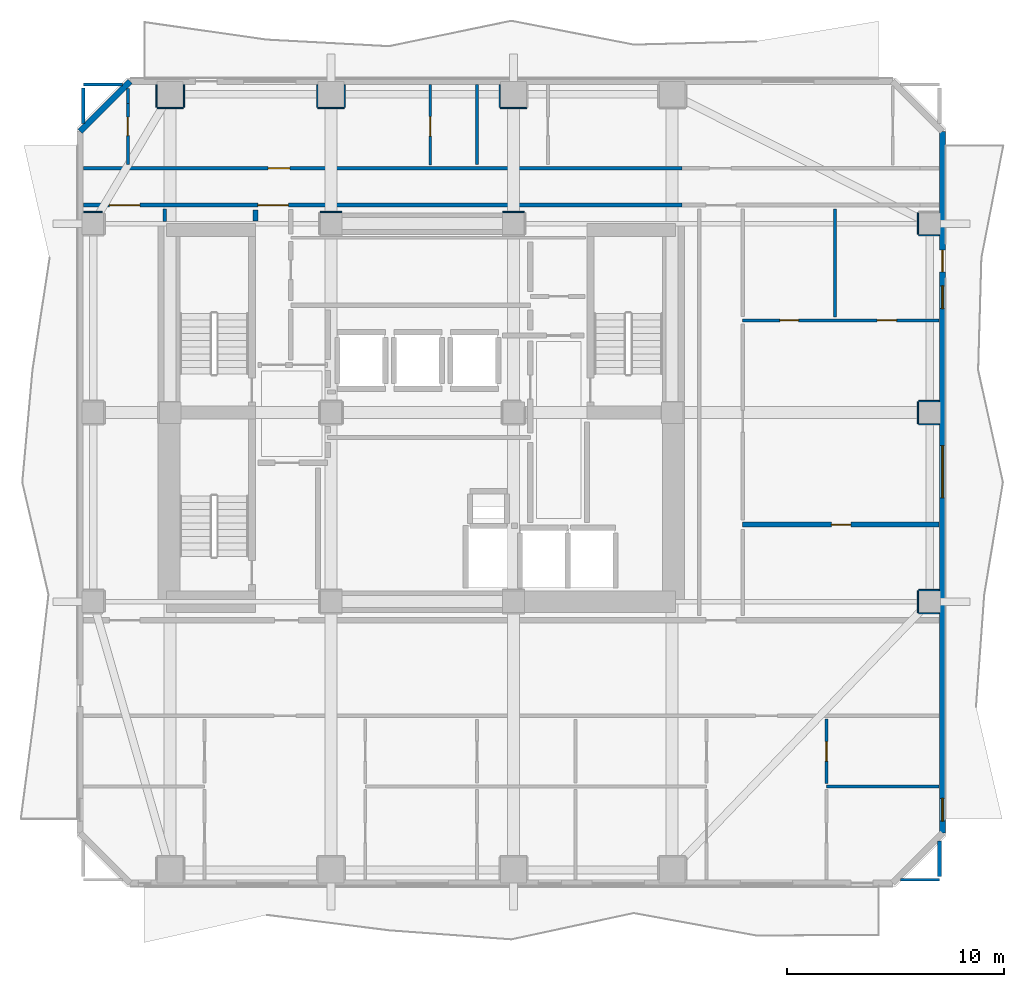
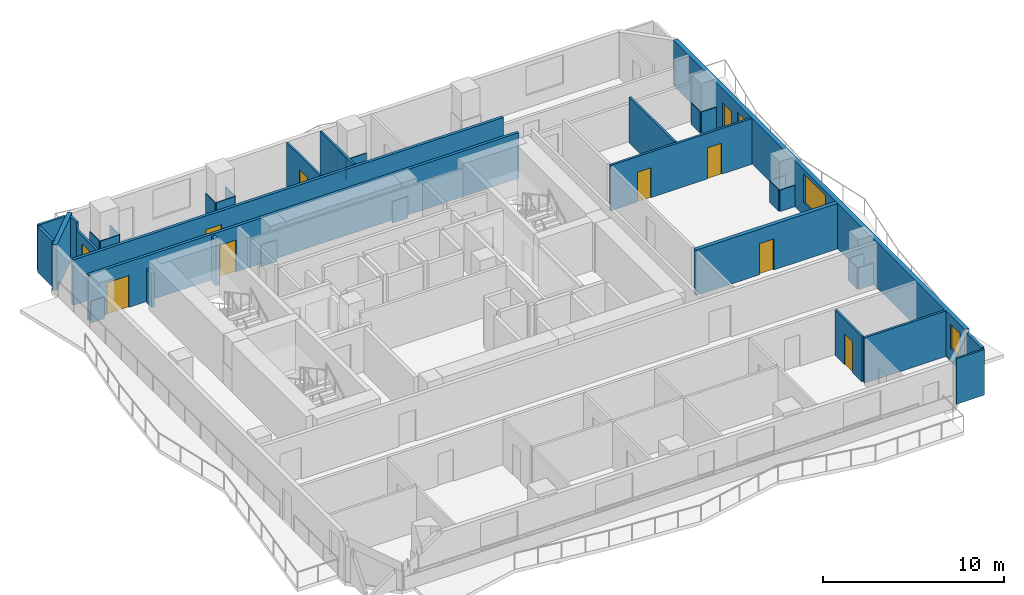
# One storey, part 5 of 9: 38 walls, 10 doors, 3 windows, 13 openings.
"""IFC4 building model written with IfcOpenShell, lengths in metres."""

from ifc_helpers import new_model, si_unit, direction, frame, frame_2d, origin, place, context, subcontext, project, spatial, rectangle, extrude, material, layer, layer_set, type_object, element, fill, save


model = new_model("IFC4")

# Units and contexts
model_context = context("Model", 3, precision=1e-05, world=origin(), true_north=direction((0.0, 1.0)))
body_context = subcontext(model_context, "Body", "Model", "MODEL_VIEW")
ifc_project = project(units=[si_unit("LENGTHUNIT", "METRE"), si_unit("AREAUNIT", "SQUARE_METRE"), si_unit("VOLUMEUNIT", "CUBIC_METRE"), si_unit("PLANEANGLEUNIT", "RADIAN"), si_unit("MASSUNIT", "GRAM", prefix="KILO")], contexts=[model_context])

# Site, building, storey
site_placement = place(None, origin())
site = spatial("IfcSite", under=ifc_project, at=site_placement, CompositionType="ELEMENT")
building_placement = place(site_placement, origin())
building = spatial("IfcBuilding", under=site, at=building_placement, Name="Solanera Arch Residences", CompositionType="ELEMENT")
storey_placement = place(building_placement, frame((0.0, 0.0, 135.9599609375)))
storey = spatial("IfcBuildingStorey", under=building, at=storey_placement, Name="L39", CompositionType="ELEMENT", Elevation=135.9599609375)

# Walls
ifc_material_1 = material(Name="Fire-Rated Gypsum Stud Partition", Category="gypsum")
ifc_layer_1 = layer(ifc_material_1, 0.06005859375)
ifc_layer_set_1 = layer_set([ifc_layer_1], Name="Fire-Rated Gypsum Stud Partition")
wall_type_1 = type_object("IfcWallType", Name="Column Acoustic Furring Wall 60", PredefinedType="PARTITIONING", material=ifc_layer_set_1)
for number, where, z_axis, x_axis, name in (
    (1, (20.300048828125, 39.931884765625, 0.0), (0.0, 0.0, 1.0), (1.0, 0.0, 0.0), "L39 Column Furring 3N"),
    (2, (28.699951171875, 39.931884765625, 0.0), (0.0, 0.0, 1.0), (1.0, 0.0, 0.0), "L39 Column Furring 4N"),
):
    element("IfcWall", number, at=place(storey_placement, frame(where, z_axis=z_axis, x_axis=x_axis)), inside=storey, type_object=wall_type_1, Name=name, PredefinedType="PARTITIONING", context=body_context, shape_type="SweptSolid", body=[
        extrude(rectangle(XDim=1.0, YDim=0.06005859375, at=frame_2d((0.5, 0.0))), origin(), (0.0, 0.0, 1.0), 1.449951171875),
    ])
wall_1_placement = place(storey_placement, frame((12.800048828125, 44.718017578125, 0.0), z_axis=(0.0, 0.0, 1.0), x_axis=(1.0, 0.0, 0.0)))
element("IfcWall", 3, at=wall_1_placement, inside=storey, type_object=wall_type_1, Name="L39 Column Furring 10S", PredefinedType="PARTITIONING", context=body_context, shape_type="SweptSolid", body=[
    extrude(rectangle(XDim=1.199951171875, YDim=0.06005859375, at=frame_2d((0.60009765625, 0.0))), origin(), (0.0, 0.0, 1.0), 1.449951171875),
])
for number, where, z_axis, x_axis, name in (
    (4, (12.76806640625, 44.75, 0.0), (0.0, 0.0, 1.0), (0.0, 1.0, 0.0), "L39 Column Furring 10W"),
    (5, (14.031982421875, 44.75, 0.0), (0.0, 0.0, 1.0), (0.0, 1.0, 0.0), "L39 Column Furring 10E"),
):
    element("IfcWall", number, at=place(storey_placement, frame(where, z_axis=z_axis, x_axis=x_axis)), inside=storey, type_object=wall_type_1, Name=name, PredefinedType="PARTITIONING", context=body_context, shape_type="SweptSolid", body=[
        extrude(rectangle(XDim=1.0400390625, YDim=0.06005859375, at=frame_2d((0.52001953125, 0.0))), origin(), (0.0, 0.0, 1.0), 1.449951171875),
    ])
wall_2_placement = place(storey_placement, frame((20.199951171875, 44.718017578125, 0.0), z_axis=(0.0, 0.0, 1.0), x_axis=(1.0, 0.0, 0.0)))
element("IfcWall", 6, at=wall_2_placement, inside=storey, type_object=wall_type_1, Name="L39 Column Furring 12S", PredefinedType="PARTITIONING", context=body_context, shape_type="SweptSolid", body=[
    extrude(rectangle(XDim=1.199951171875, YDim=0.06005859375, at=frame_2d((0.60009765625, 0.0))), origin(), (0.0, 0.0, 1.0), 1.449951171875),
])
for number, where, z_axis, x_axis, name in (
    (7, (20.16796875, 44.75, 0.0), (0.0, 0.0, 1.0), (0.0, 1.0, 0.0), "L39 Column Furring 12W"),
    (8, (21.431884765625, 44.75, 0.0), (0.0, 0.0, 1.0), (0.0, 1.0, 0.0), "L39 Column Furring 12E"),
):
    element("IfcWall", number, at=place(storey_placement, frame(where, z_axis=z_axis, x_axis=x_axis)), inside=storey, type_object=wall_type_1, Name=name, PredefinedType="PARTITIONING", context=body_context, shape_type="SweptSolid", body=[
        extrude(rectangle(XDim=1.0400390625, YDim=0.06005859375, at=frame_2d((0.52001953125, 0.0))), origin(), (0.0, 0.0, 1.0), 1.449951171875),
    ])
wall_3_placement = place(storey_placement, frame((28.60009765625, 44.718017578125, 0.0), z_axis=(0.0, 0.0, 1.0), x_axis=(1.0, 0.0, 0.0)))
element("IfcWall", 9, at=wall_3_placement, inside=storey, type_object=wall_type_1, Name="L39 Column Furring 14S", PredefinedType="PARTITIONING", context=body_context, shape_type="SweptSolid", body=[
    extrude(rectangle(XDim=1.199951171875, YDim=0.06005859375, at=frame_2d((0.60009765625, 0.0))), origin(), (0.0, 0.0, 1.0), 1.449951171875),
])
wall_4_placement = place(storey_placement, frame((28.568115234375, 44.75, 0.0), z_axis=(0.0, 0.0, 1.0), x_axis=(0.0, 1.0, 0.0)))
element("IfcWall", 10, at=wall_4_placement, inside=storey, type_object=wall_type_1, Name="L39 Column Furring 14W", PredefinedType="PARTITIONING", context=body_context, shape_type="SweptSolid", body=[
    extrude(rectangle(XDim=1.0400390625, YDim=0.06005859375, at=frame_2d((0.52001953125, 0.0))), origin(), (0.0, 0.0, 1.0), 1.449951171875),
])
for number, where, z_axis, x_axis, name in (
    (11, (47.85009765625, 21.468017578125, 0.0), (0.0, 0.0, 1.0), (1.0, 0.0, 0.0), "L39 Column Furring 18S"),
    (12, (47.85009765625, 22.531982421875, 0.0), (0.0, 0.0, 1.0), (1.0, 0.0, 0.0), "L39 Column Furring 18N"),
):
    element("IfcWall", number, at=place(storey_placement, frame(where, z_axis=z_axis, x_axis=x_axis)), inside=storey, type_object=wall_type_1, Name=name, PredefinedType="PARTITIONING", context=body_context, shape_type="SweptSolid", body=[
        extrude(rectangle(XDim=0.93994140625, YDim=0.06005859375, at=frame_2d((0.469970703125, 0.0))), origin(), (0.0, 0.0, 1.0), 1.449951171875),
    ])
wall_5_placement = place(storey_placement, frame((47.818115234375, 21.5, 0.0), z_axis=(0.0, 0.0, 1.0), x_axis=(0.0, 1.0, 0.0)))
element("IfcWall", 13, at=wall_5_placement, inside=storey, type_object=wall_type_1, Name="L39 Column Furring 18W", PredefinedType="PARTITIONING", context=body_context, shape_type="SweptSolid", body=[
    extrude(rectangle(XDim=1.0, YDim=0.06005859375, at=frame_2d((0.5, 0.0))), origin(), (0.0, 0.0, 1.0), 1.449951171875),
])
for number, where, z_axis, x_axis, name in (
    (14, (47.85009765625, 30.16796875, 0.0), (0.0, 0.0, 1.0), (1.0, 0.0, 0.0), "L39 Column Furring 20S"),
    (15, (47.85009765625, 31.23193359375, 0.0), (0.0, 0.0, 1.0), (1.0, 0.0, 0.0), "L39 Column Furring 20N"),
):
    element("IfcWall", number, at=place(storey_placement, frame(where, z_axis=z_axis, x_axis=x_axis)), inside=storey, type_object=wall_type_1, Name=name, PredefinedType="PARTITIONING", context=body_context, shape_type="SweptSolid", body=[
        extrude(rectangle(XDim=0.93994140625, YDim=0.06005859375, at=frame_2d((0.469970703125, 0.0))), origin(), (0.0, 0.0, 1.0), 1.449951171875),
    ])
wall_6_placement = place(storey_placement, frame((47.818115234375, 30.199951171875, 0.0), z_axis=(0.0, 0.0, 1.0), x_axis=(0.0, 1.0, 0.0)))
element("IfcWall", 16, at=wall_6_placement, inside=storey, type_object=wall_type_1, Name="L39 Column Furring 20W", PredefinedType="PARTITIONING", context=body_context, shape_type="SweptSolid", body=[
    extrude(rectangle(XDim=1.0, YDim=0.06005859375, at=frame_2d((0.5, 0.0))), origin(), (0.0, 0.0, 1.0), 1.449951171875),
])
wall_7_placement = place(storey_placement, frame((9.409912109375, 39.931884765625, 0.0), z_axis=(0.0, 0.0, 1.0), x_axis=(1.0, 0.0, 0.0)))
element("IfcWall", 17, at=wall_7_placement, inside=storey, type_object=wall_type_1, Name="L39 Column Furring 21N", PredefinedType="PARTITIONING", context=body_context, shape_type="SweptSolid", body=[
    extrude(rectangle(XDim=0.87109375, YDim=0.06005859375, at=frame_2d((0.435546875, 0.0))), origin(), (0.0, 0.0, 1.0), 1.449951171875),
])
wall_8_placement = place(storey_placement, frame((47.85009765625, 38.867919921875, 0.0), z_axis=(0.0, 0.0, 1.0), x_axis=(1.0, 0.0, 0.0)))
element("IfcWall", 18, at=wall_8_placement, inside=storey, type_object=wall_type_1, Name="L39 Column Furring 22S", PredefinedType="PARTITIONING", context=body_context, shape_type="SweptSolid", body=[
    extrude(rectangle(XDim=0.93994140625, YDim=0.06005859375, at=frame_2d((0.469970703125, 0.0))), origin(), (0.0, 0.0, 1.0), 1.449951171875),
])
wall_9_placement = place(storey_placement, frame((47.818115234375, 38.89990234375, 0.0), z_axis=(0.0, 0.0, 1.0), x_axis=(0.0, 1.0, 0.0)))
element("IfcWall", 19, at=wall_9_placement, inside=storey, type_object=wall_type_1, Name="L39 Column Furring 22W", PredefinedType="PARTITIONING", context=body_context, shape_type="SweptSolid", body=[
    extrude(rectangle(XDim=1.0, YDim=0.06005859375, at=frame_2d((0.5, 0.0))), origin(), (0.0, 0.0, 1.0), 1.449951171875),
])

# Wall, openings, doors
ifc_material_2 = material(Name="Autoclaved Aerated Concrete Blockwork", Category="masonry")
ifc_layer_2 = layer(ifc_material_2, 0.179931640625)
ifc_layer_set_2 = layer_set([ifc_layer_2], Name="Autoclaved Aerated Concrete Blockwork")
wall_type_2 = type_object("IfcWallType", Name="Corridor Fire Partition 180", PredefinedType="PARTITIONING", material=ifc_layer_set_2)
wall_10_placement = place(storey_placement, frame((9.406982421875, 40.25, 0.0), z_axis=(0.0, 0.0, 1.0), x_axis=(1.0, 0.0, 0.0)))
wall_10 = element("IfcWall", 20, at=wall_10_placement, inside=storey, type_object=wall_type_2, Name="L39 Interior Partition H12 1", PredefinedType="PARTITIONING", context=body_context, shape_type="SweptSolid", body=[
    extrude(rectangle(XDim=27.5361328125, YDim=0.179931640625, at=frame_2d((13.76806640625, 0.0))), origin(), (0.0, 0.0, 1.0), 3.080078125),
])
opening_1_placement = place(wall_10_placement, frame((8.028076171875, 0.0, 0.0)))
opening_1 = element("IfcOpeningElement", 21, at=opening_1_placement, cuts=wall_10, Name="Opening DF-03", PredefinedType="OPENING", context=body_context, shape_type="SweptSolid", body=[
    extrude(rectangle(XDim=1.39990234375, YDim=2.14990234375, at=frame_2d((0.699951171875, 1.074951171875))), frame((0.0, 0.10009765625, 0.0), z_axis=(0.0, -1.0, 0.0), x_axis=(1.0, 0.0, 0.0)), (0.0, 0.0, 1.0), 0.1999),
])
opening_2_placement = place(wall_10_placement, frame((1.19189453125, 0.0, 0.0)))
opening_2 = element("IfcOpeningElement", 22, at=opening_2_placement, cuts=wall_10, Name="Opening DF-03", PredefinedType="OPENING", context=body_context, shape_type="SweptSolid", body=[
    extrude(rectangle(XDim=1.39990234375, YDim=2.14990234375, at=frame_2d((0.699951171875, 1.074951171875))), frame((0.0, 0.10009765625, 0.0), z_axis=(0.0, -1.0, 0.0), x_axis=(1.0, 0.0, 0.0)), (0.0, 0.0, 1.0), 0.1999),
])
ifc_material_3 = material(Name="Fire-Rated Architectural Hardwood", Category="wood")
door_type_1 = type_object("IfcDoorType", Name="Corridor Smoke Door DF-03", OperationType="NOTDEFINED", PredefinedType="DOOR", material=ifc_material_3)
door_1_placement = place(opening_1_placement, origin())
door_1 = element("IfcDoor", 23, at=door_1_placement, inside=storey, type_object=door_type_1, Name="DR-L39-IN-009", OperationType="SINGLE_SWING_RIGHT", OverallHeight=2.14990234375, OverallWidth=1.39990234375, PredefinedType="DOOR", context=body_context, shape_type="SweptSolid", body=[
    extrude(rectangle(XDim=1.39990234375, YDim=2.14990234375, at=frame_2d((0.699951171875, 1.074951171875))), frame((0.0, 0.02490234375, 0.0), z_axis=(0.0, -1.0, 0.0), x_axis=(1.0, 0.0, 0.0)), (0.0, 0.0, 1.0), 0.050048828125),
])
fill(opening_1, door_1)
door_2_placement = place(opening_2_placement, origin())
door_2 = element("IfcDoor", 24, at=door_2_placement, inside=storey, type_object=door_type_1, Name="DR-L39-IN-012", OperationType="SINGLE_SWING_LEFT", OverallHeight=2.14990234375, OverallWidth=1.39990234375, PredefinedType="DOOR", context=body_context, shape_type="SweptSolid", body=[
    extrude(rectangle(XDim=1.39990234375, YDim=2.14990234375, at=frame_2d((0.699951171875, 1.074951171875))), frame((0.0, 0.02490234375, 0.0), z_axis=(0.0, -1.0, 0.0), x_axis=(1.0, 0.0, 0.0)), (0.0, 0.0, 1.0), 0.050048828125),
])
fill(opening_2, door_2)

# Wall, opening, door
wall_11_placement = place(storey_placement, frame((9.406982421875, 41.949951171875, 0.0), z_axis=(0.0, 0.0, 1.0), x_axis=(1.0, 0.0, 0.0)))
wall_11 = element("IfcWall", 25, at=wall_11_placement, inside=storey, type_object=wall_type_2, Name="L39 Interior Partition H13 1", PredefinedType="PARTITIONING", context=body_context, shape_type="SweptSolid", body=[
    extrude(rectangle(XDim=27.5361328125, YDim=0.179931640625, at=frame_2d((13.76806640625, 0.0))), origin(), (0.0, 0.0, 1.0), 3.080078125),
])
opening_3_placement = place(wall_11_placement, frame((8.5029296875, 0.0, 0.0)))
opening_3 = element("IfcOpeningElement", 26, at=opening_3_placement, cuts=wall_11, Name="Opening DI-01", PredefinedType="OPENING", context=body_context, shape_type="SweptSolid", body=[
    extrude(rectangle(XDim=1.0, YDim=2.14990234375, at=frame_2d((0.5, 1.074951171875))), frame((0.0, 0.10009765625, 0.0), z_axis=(0.0, -1.0, 0.0), x_axis=(1.0, 0.0, 0.0)), (0.0, 0.0, 1.0), 0.1999),
])
ifc_material_4 = material(Name="Fire-Rated Architectural Hardwood", Category="wood")
door_type_2 = type_object("IfcDoorType", Name="Unit Entrance Fire Door DI-01", OperationType="NOTDEFINED", PredefinedType="DOOR", material=ifc_material_4)
door_3_placement = place(opening_3_placement, origin())
door_3 = element("IfcDoor", 27, at=door_3_placement, inside=storey, type_object=door_type_2, Name="DR-L39-IN-029", OperationType="SINGLE_SWING_RIGHT", OverallHeight=2.14990234375, OverallWidth=1.0, PredefinedType="DOOR", context=body_context, shape_type="SweptSolid", body=[
    extrude(rectangle(XDim=1.0, YDim=2.14990234375, at=frame_2d((0.5, 1.074951171875))), frame((0.0, 0.02490234375, 0.0), z_axis=(0.0, -1.0, 0.0), x_axis=(1.0, 0.0, 0.0)), (0.0, 0.0, 1.0), 0.050048828125),
])
fill(opening_3, door_3)

# Walls
wall_12_placement = place(storey_placement, frame((9.39990234375, 44.0048828125, 0.0), z_axis=(0.0, 0.0, 1.0), x_axis=(0.0, 1.0, 0.0)))
element("IfcWall", 28, at=wall_12_placement, inside=storey, type_object=wall_type_2, Name="L39 Interior Partition V7 2", PredefinedType="PARTITIONING", context=body_context, shape_type="SweptSolid", body=[
    extrude(rectangle(XDim=1.627197265625, YDim=0.179931640625, at=frame_2d((0.8134765625, 0.0))), origin(), (0.0, 0.0, 1.0), 3.080078125),
])
wall_13_placement = place(storey_placement, frame((13.14990234375, 39.5, 0.0), z_axis=(0.0, 0.0, 1.0), x_axis=(0.0, 1.0, 0.0)))
element("IfcWall", 29, at=wall_13_placement, inside=storey, type_object=wall_type_2, Name="L39 Interior Partition V8", PredefinedType="PARTITIONING", context=body_context, shape_type="SweptSolid", body=[
    extrude(rectangle(XDim=0.56201171875, YDim=0.179931640625, at=frame_2d((0.281005859375, 0.0))), origin(), (0.0, 0.0, 1.0), 2.31494140625),
])
wall_14_placement = place(storey_placement, frame((48.800048828125, 9.35791015625, 0.0), z_axis=(0.0, 0.0, 1.0), x_axis=(0.0, 1.0, 0.0)))
element("IfcWall", 30, at=wall_14_placement, inside=storey, type_object=wall_type_2, Name="L39 Interior Partition V12 1", PredefinedType="PARTITIONING", context=body_context, shape_type="SweptSolid", body=[
    extrude(rectangle(XDim=1.63720703125, YDim=0.179931640625, at=frame_2d((0.818603515625, 0.0))), origin(), (0.0, 0.0, 1.0), 3.080078125),
])
ifc_material_5 = material(Name="Precast Concrete C35/45", Category="concrete")
ifc_layer_3 = layer(ifc_material_5, 0.280029296875)
ifc_layer_set_3 = layer_set([ifc_layer_3], Name="Precast Concrete C35/45")
wall_type_3 = type_object("IfcWallType", Name="Exterior Wall Precast Masonry-Frame 280", PredefinedType="STANDARD", material=ifc_layer_set_3)
wall_15_placement = place(storey_placement, frame((9.2548828125, 43.64501953125, 0.0), z_axis=(0.0, 0.0, 1.0), x_axis=(0.707106781187, 0.707106781187, 0.0)))
element("IfcWall", 31, at=wall_15_placement, inside=storey, type_object=wall_type_3, Name="L39 Tower Exterior Precast Masonry-Frame Wall CH1", PredefinedType="STANDARD", context=body_context, shape_type="SweptSolid", body=[
    extrude(rectangle(XDim=3.252685546875, YDim=0.280029296875, at=frame_2d((1.62646484375, 0.0))), origin(), (0.0, 0.0, 1.0), 3.080078125),
])

# Wall, openings, door, windows
wall_16_placement = place(storey_placement, frame((48.945068359375, 43.64501953125, 0.0), z_axis=(0.0, 0.0, 1.0), x_axis=(0.0, -1.0, 0.0)))
wall_16 = element("IfcWall", 32, at=wall_16_placement, inside=storey, type_object=wall_type_3, Name="L39 Tower Exterior Precast Masonry-Frame Wall E", PredefinedType="STANDARD", context=body_context, shape_type="SweptSolid", body=[
    extrude(rectangle(XDim=32.2900390625, YDim=0.280029296875, at=frame_2d((16.14501953125, 0.0))), origin(), (0.0, 0.0, 1.0), 3.080078125),
])
opening_4_placement = place(wall_16_placement, frame((5.467041015625, 0.0, 0.0)))
opening_4 = element("IfcOpeningElement", 33, at=opening_4_placement, cuts=wall_16, Name="Opening DB-01", PredefinedType="OPENING", context=body_context, shape_type="SweptSolid", body=[
    extrude(rectangle(XDim=1.0, YDim=2.14990234375, at=frame_2d((0.5, 1.074951171875))), frame((0.0, 0.14990234375, 0.0), z_axis=(0.0, -1.0, 0.0), x_axis=(1.0, 0.0, 0.0)), (0.0, 0.0, 1.0), 0.3),
])
opening_5_placement = place(wall_16_placement, frame((30.696044921875, 0.0, 0.85009765625)))
opening_5 = element("IfcOpeningElement", 34, at=opening_5_placement, cuts=wall_16, Name="Opening W-07", PredefinedType="OPENING", context=body_context, shape_type="SweptSolid", body=[
    extrude(rectangle(XDim=1.050048828125, YDim=1.64990234375, at=frame_2d((0.52490234375, 0.824951171875))), frame((0.0, 0.14990234375, 0.0), z_axis=(0.0, -1.0, 0.0), x_axis=(1.0, 0.0, 0.0)), (0.0, 0.0, 1.0), 0.3),
])
opening_6_placement = place(wall_16_placement, frame((14.4609375, 0.0, 0.85009765625)))
opening_6 = element("IfcOpeningElement", 35, at=opening_6_placement, cuts=wall_16, Name="Opening W-05", PredefinedType="OPENING", context=body_context, shape_type="SweptSolid", body=[
    extrude(rectangle(XDim=2.39990234375, YDim=1.949951171875, at=frame_2d((1.199951171875, 0.97509765625))), frame((0.0, 0.14990234375, 0.0), z_axis=(0.0, -1.0, 0.0), x_axis=(1.0, 0.0, 0.0)), (0.0, 0.0, 1.0), 0.3),
])
opening_7_placement = place(wall_16_placement, frame((7.10595703125, 0.0, 0.85009765625)))
opening_7 = element("IfcOpeningElement", 36, at=opening_7_placement, cuts=wall_16, Name="Opening W-07", PredefinedType="OPENING", context=body_context, shape_type="SweptSolid", body=[
    extrude(rectangle(XDim=1.050048828125, YDim=1.64990234375, at=frame_2d((0.52490234375, 0.824951171875))), frame((0.0, 0.14990234375, 0.0), z_axis=(0.0, -1.0, 0.0), x_axis=(1.0, 0.0, 0.0)), (0.0, 0.0, 1.0), 0.3),
])
ifc_material_6 = material(Name="Anodised Aluminium Alloy 6063-T6", Category="aluminium")
door_type_3 = type_object("IfcDoorType", Name="Glazed Balcony Swing Door DB-01", OperationType="NOTDEFINED", PredefinedType="DOOR", material=ifc_material_6)
door_4_placement = place(opening_4_placement, origin())
door_4 = element("IfcDoor", 37, at=door_4_placement, inside=storey, type_object=door_type_3, Name="DR-L39-OUT-03", OperationType="SINGLE_SWING_LEFT", OverallHeight=2.14990234375, OverallWidth=1.0, PredefinedType="DOOR", context=body_context, shape_type="SweptSolid", body=[
    extrude(rectangle(XDim=1.0, YDim=2.14990234375, at=frame_2d((0.5, 1.074951171875))), frame((0.0, 0.02490234375, 0.0), z_axis=(0.0, -1.0, 0.0), x_axis=(1.0, 0.0, 0.0)), (0.0, 0.0, 1.0), 0.050048828125),
])
fill(opening_4, door_4)
ifc_material_7 = material(Name="Double Glazed Low-E Laminated Glass", Category="glass")
window_type_1 = type_object("IfcWindowType", Name="Punched Window W-05", PartitioningType="TRIPLE_PANEL_VERTICAL", PredefinedType="WINDOW", material=ifc_material_7)
window_1_placement = place(opening_6_placement, origin())
window_1 = element("IfcWindow", 38, at=window_1_placement, inside=storey, type_object=window_type_1, Name="L39 3905-LIV Punched Window", OverallHeight=1.949951171875, OverallWidth=2.39990234375, PartitioningType="SINGLE_PANEL", PredefinedType="WINDOW", context=body_context, shape_type="SweptSolid", body=[
    extrude(rectangle(XDim=2.39990234375, YDim=1.949951171875, at=frame_2d((1.199951171875, 0.97509765625))), frame((0.0, 0.030029296875, 0.0), z_axis=(0.0, -1.0, 0.0), x_axis=(1.0, 0.0, 0.0)), (0.0, 0.0, 1.0), 0.06005859375),
])
fill(opening_6, window_1)
ifc_material_8 = material(Name="Double Glazed Low-E Laminated Glass", Category="glass")
window_type_2 = type_object("IfcWindowType", Name="Punched Window W-07", PartitioningType="SINGLE_PANEL", PredefinedType="WINDOW", material=ifc_material_8)
window_2_placement = place(opening_5_placement, origin())
window_2 = element("IfcWindow", 39, at=window_2_placement, inside=storey, type_object=window_type_2, Name="L39 3902-BR2 Punched Window", OverallHeight=1.64990234375, OverallWidth=1.050048828125, PartitioningType="SINGLE_PANEL", PredefinedType="WINDOW", context=body_context, shape_type="SweptSolid", body=[
    extrude(rectangle(XDim=1.050048828125, YDim=1.64990234375, at=frame_2d((0.52490234375, 0.824951171875))), frame((0.0, 0.030029296875, 0.0), z_axis=(0.0, -1.0, 0.0), x_axis=(1.0, 0.0, 0.0)), (0.0, 0.0, 1.0), 0.06005859375),
])
fill(opening_5, window_2)
window_3_placement = place(opening_7_placement, origin())
window_3 = element("IfcWindow", 40, at=window_3_placement, inside=storey, type_object=window_type_2, Name="L39 3905-BR1 Punched Window", OverallHeight=1.64990234375, OverallWidth=1.050048828125, PartitioningType="SINGLE_PANEL", PredefinedType="WINDOW", context=body_context, shape_type="SweptSolid", body=[
    extrude(rectangle(XDim=1.050048828125, YDim=1.64990234375, at=frame_2d((0.52490234375, 0.824951171875))), frame((0.0, 0.030029296875, 0.0), z_axis=(0.0, -1.0, 0.0), x_axis=(1.0, 0.0, 0.0)), (0.0, 0.0, 1.0), 0.06005859375),
])
fill(opening_7, window_3)

# Wall, opening, door
ifc_material_9 = material(Name="Autoclaved Aerated Concrete Blockwork", Category="masonry")
ifc_layer_4 = layer(ifc_material_9, 0.239990234375)
ifc_layer_set_4 = layer_set([ifc_layer_4], Name="Autoclaved Aerated Concrete Blockwork")
wall_type_4 = type_object("IfcWallType", Name="Shaft Wall Fire-Rated 240", PredefinedType="PARTITIONING", material=ifc_layer_set_4)
wall_17_placement = place(storey_placement, frame((39.75, 25.550048828125, 0.0), z_axis=(0.0, 0.0, 1.0), x_axis=(1.0, 0.0, 0.0)))
wall_17 = element("IfcWall", 41, at=wall_17_placement, inside=storey, type_object=wall_type_4, Name="L39 Interior Partition H3", PredefinedType="PARTITIONING", context=body_context, shape_type="SweptSolid", body=[
    extrude(rectangle(XDim=9.04296875, YDim=0.239990234375, at=frame_2d((4.521484375, 0.0))), origin(), (0.0, 0.0, 1.0), 3.080078125),
])
opening_8_placement = place(wall_17_placement, frame((4.074951171875, 0.0, 0.0)))
opening_8 = element("IfcOpeningElement", 42, at=opening_8_placement, cuts=wall_17, Name="Opening DI-02", PredefinedType="OPENING", context=body_context, shape_type="SweptSolid", body=[
    extrude(rectangle(XDim=0.89990234375, YDim=2.10009765625, at=frame_2d((0.449951171875, 1.050048828125))), frame((0.0, 0.1298828125, 0.0), z_axis=(0.0, -1.0, 0.0), x_axis=(1.0, 0.0, 0.0)), (0.0, 0.0, 1.0), 0.26),
])
ifc_material_10 = material(Name="Fire-Rated Architectural Hardwood", Category="wood")
door_type_4 = type_object("IfcDoorType", Name="Suite Room Swing Door DI-02", OperationType="NOTDEFINED", PredefinedType="DOOR", material=ifc_material_10)
door_5_placement = place(opening_8_placement, origin())
door_5 = element("IfcDoor", 43, at=door_5_placement, inside=storey, type_object=door_type_4, Name="DR-L39-IN-036", OperationType="SINGLE_SWING_LEFT", OverallHeight=2.10009765625, OverallWidth=0.89990234375, PredefinedType="DOOR", context=body_context, shape_type="SweptSolid", body=[
    extrude(rectangle(XDim=0.89990234375, YDim=2.10009765625, at=frame_2d((0.449951171875, 1.050048828125))), frame((0.0, 0.02490234375, 0.0), z_axis=(0.0, -1.0, 0.0), x_axis=(1.0, 0.0, 0.0)), (0.0, 0.0, 1.0), 0.050048828125),
])
fill(opening_8, door_5)

# Walls
wall_18_placement = place(storey_placement, frame((17.320068359375, 39.530029296875, 0.0), z_axis=(0.0, 0.0, 1.0), x_axis=(0.0, 1.0, 0.0)))
element("IfcWall", 44, at=wall_18_placement, inside=storey, type_object=wall_type_4, Name="L39 Interior Partition V1", PredefinedType="PARTITIONING", context=body_context, shape_type="SweptSolid", body=[
    extrude(rectangle(XDim=0.501953125, YDim=0.239990234375, at=frame_2d((0.2509765625, 0.0))), origin(), (0.0, 0.0, 1.0), 3.080078125),
])
ifc_material_11 = material(Name="Fire-Rated Gypsum Stud Partition", Category="gypsum")
ifc_layer_5 = layer(ifc_material_11, 0.1201171875)
ifc_layer_set_5 = layer_set([ifc_layer_5], Name="Fire-Rated Gypsum Stud Partition")
wall_type_5 = type_object("IfcWallType", Name="Unit Drywall Partition 120", PredefinedType="PARTITIONING", material=ifc_layer_set_5)
wall_19_placement = place(storey_placement, frame((47.0048828125, 9.199951171875, 0.0), z_axis=(0.0, 0.0, 1.0), x_axis=(1.0, 0.0, 0.0)))
element("IfcWall", 45, at=wall_19_placement, inside=storey, type_object=wall_type_5, Name="L39 Interior Partition H19 2", PredefinedType="PARTITIONING", context=body_context, shape_type="SweptSolid", body=[
    extrude(rectangle(XDim=1.795166015625, YDim=0.1201171875, at=frame_2d((0.8974609375, 0.0))), origin(), (0.0, 0.0, 1.0), 3.080078125),
])

# Wall, opening, door
wall_20_placement = place(storey_placement, frame((25.3701171875, 42.10791015625, 0.0), z_axis=(0.0, 0.0, 1.0), x_axis=(0.0, 1.0, 0.0)))
wall_20 = element("IfcWall", 46, at=wall_20_placement, inside=storey, type_object=wall_type_5, Name="L39 Interior Partition V22", PredefinedType="PARTITIONING", context=body_context, shape_type="SweptSolid", body=[
    extrude(rectangle(XDim=3.68505859375, YDim=0.1201171875, at=frame_2d((1.842529296875, 0.0))), origin(), (0.0, 0.0, 1.0), 3.080078125),
])
opening_9_placement = place(wall_20_placement, frame((1.31689453125, 0.0, 0.0)))
opening_9 = element("IfcOpeningElement", 47, at=opening_9_placement, cuts=wall_20, Name="Opening DI-02", PredefinedType="OPENING", context=body_context, shape_type="SweptSolid", body=[
    extrude(rectangle(XDim=0.89990234375, YDim=2.10009765625, at=frame_2d((0.449951171875, 1.050048828125))), frame((0.0, 0.070068359375, 0.0), z_axis=(0.0, -1.0, 0.0), x_axis=(1.0, 0.0, 0.0)), (0.0, 0.0, 1.0), 0.1401),
])
door_6_placement = place(opening_9_placement, origin())
door_6 = element("IfcDoor", 48, at=door_6_placement, inside=storey, type_object=door_type_4, Name="DR-L39-IN-031", OperationType="SINGLE_SWING_RIGHT", OverallHeight=2.10009765625, OverallWidth=0.89990234375, PredefinedType="DOOR", context=body_context, shape_type="SweptSolid", body=[
    extrude(rectangle(XDim=0.89990234375, YDim=2.10009765625, at=frame_2d((0.449951171875, 1.050048828125))), frame((0.0, 0.02490234375, 0.0), z_axis=(0.0, -1.0, 0.0), x_axis=(1.0, 0.0, 0.0)), (0.0, 0.0, 1.0), 0.050048828125),
])
fill(opening_9, door_6)

wall_21_placement = place(storey_placement, frame((43.60595703125, 13.64208984375, 0.0), z_axis=(0.0, 0.0, 1.0), x_axis=(0.0, 1.0, 0.0)))
wall_21 = element("IfcWall", 49, at=wall_21_placement, inside=storey, type_object=wall_type_5, Name="L39 Interior Partition V23 2", PredefinedType="PARTITIONING", context=body_context, shape_type="SweptSolid", body=[
    extrude(rectangle(XDim=2.949951171875, YDim=0.1201171875, at=frame_2d((1.47509765625, 0.0))), origin(), (0.0, 0.0, 1.0), 3.080078125),
])
opening_10_placement = place(wall_21_placement, frame((1.02197265625, 0.0, 0.0)))
opening_10 = element("IfcOpeningElement", 50, at=opening_10_placement, cuts=wall_21, Name="Opening DI-02", PredefinedType="OPENING", context=body_context, shape_type="SweptSolid", body=[
    extrude(rectangle(XDim=0.89990234375, YDim=2.10009765625, at=frame_2d((0.449951171875, 1.050048828125))), frame((0.0, 0.070068359375, 0.0), z_axis=(0.0, -1.0, 0.0), x_axis=(1.0, 0.0, 0.0)), (0.0, 0.0, 1.0), 0.1401),
])
door_7_placement = place(opening_10_placement, origin())
door_7 = element("IfcDoor", 51, at=door_7_placement, inside=storey, type_object=door_type_4, Name="DR-L39-IN-027", OperationType="SINGLE_SWING_RIGHT", OverallHeight=2.10009765625, OverallWidth=0.89990234375, PredefinedType="DOOR", context=body_context, shape_type="SweptSolid", body=[
    extrude(rectangle(XDim=0.89990234375, YDim=2.10009765625, at=frame_2d((0.449951171875, 1.050048828125))), frame((0.0, 0.02490234375, 0.0), z_axis=(0.0, -1.0, 0.0), x_axis=(1.0, 0.0, 0.0)), (0.0, 0.0, 1.0), 0.050048828125),
])
fill(opening_10, door_7)

# Wall
ifc_material_12 = material(Name="Autoclaved Aerated Concrete Blockwork", Category="masonry")
ifc_layer_6 = layer(ifc_material_12, 0.139892578125)
ifc_layer_set_6 = layer_set([ifc_layer_6], Name="Autoclaved Aerated Concrete Blockwork")
wall_type_6 = type_object("IfcWallType", Name="Wet-Room Partition 140", PredefinedType="PARTITIONING", material=ifc_layer_set_6)
wall_22_placement = place(storey_placement, frame((43.60595703125, 13.50390625, 0.0), z_axis=(0.0, 0.0, 1.0), x_axis=(1.0, 0.0, 0.0)))
element("IfcWall", 52, at=wall_22_placement, inside=storey, type_object=wall_type_6, Name="L39 Interior Partition H16", PredefinedType="PARTITIONING", context=body_context, shape_type="SweptSolid", body=[
    extrude(rectangle(XDim=5.18701171875, YDim=0.139892578125, at=frame_2d((2.593505859375, 0.0))), origin(), (0.0, 0.0, 1.0), 3.080078125),
])

# Wall, openings, doors
wall_23_placement = place(storey_placement, frame((39.75, 34.949951171875, 0.0), z_axis=(0.0, 0.0, 1.0), x_axis=(1.0, 0.0, 0.0)))
wall_23 = element("IfcWall", 53, at=wall_23_placement, inside=storey, type_object=wall_type_6, Name="L39 Interior Partition H17", PredefinedType="PARTITIONING", context=body_context, shape_type="SweptSolid", body=[
    extrude(rectangle(XDim=9.04296875, YDim=0.139892578125, at=frame_2d((4.521484375, 0.0))), origin(), (0.0, 0.0, 1.0), 3.080078125),
])
opening_11_placement = place(wall_23_placement, frame((1.7080078125, 0.0, 0.0)))
opening_11 = element("IfcOpeningElement", 54, at=opening_11_placement, cuts=wall_23, Name="Opening DI-05", PredefinedType="OPENING", context=body_context, shape_type="SweptSolid", body=[
    extrude(rectangle(XDim=0.860107421875, YDim=2.02001953125, at=frame_2d((0.43017578125, 1.010009765625))), frame((0.0, 0.079833984375, 0.0), z_axis=(0.0, -1.0, 0.0), x_axis=(1.0, 0.0, 0.0)), (0.0, 0.0, 1.0), 0.1599),
])
opening_12_placement = place(wall_23_placement, frame((6.18701171875, 0.0, 0.0)))
opening_12 = element("IfcOpeningElement", 55, at=opening_12_placement, cuts=wall_23, Name="Opening DI-03", PredefinedType="OPENING", context=body_context, shape_type="SweptSolid", body=[
    extrude(rectangle(XDim=0.89990234375, YDim=2.10009765625, at=frame_2d((0.449951171875, 1.050048828125))), frame((0.0, 0.079833984375, 0.0), z_axis=(0.0, -1.0, 0.0), x_axis=(1.0, 0.0, 0.0)), (0.0, 0.0, 1.0), 0.1599),
])
ifc_material_13 = material(Name="Fire-Rated Architectural Hardwood", Category="wood")
door_type_5 = type_object("IfcDoorType", Name="Bathroom Swing Door DI-05", OperationType="NOTDEFINED", PredefinedType="DOOR", material=ifc_material_13)
door_8_placement = place(opening_11_placement, origin())
door_8 = element("IfcDoor", 56, at=door_8_placement, inside=storey, type_object=door_type_5, Name="DR-L39-IN-037", OperationType="SINGLE_SWING_RIGHT", OverallHeight=2.02001953125, OverallWidth=0.860107421875, PredefinedType="DOOR", context=body_context, shape_type="SweptSolid", body=[
    extrude(rectangle(XDim=0.860107421875, YDim=2.02001953125, at=frame_2d((0.43017578125, 1.010009765625))), frame((0.0, 0.02490234375, 0.0), z_axis=(0.0, -1.0, 0.0), x_axis=(1.0, 0.0, 0.0)), (0.0, 0.0, 1.0), 0.050048828125),
])
fill(opening_11, door_8)
ifc_material_14 = material(Name="Fire-Rated Architectural Hardwood", Category="wood")
door_type_6 = type_object("IfcDoorType", Name="Bedroom Swing Door DI-03", OperationType="NOTDEFINED", PredefinedType="DOOR", material=ifc_material_14)
door_9_placement = place(opening_12_placement, origin())
door_9 = element("IfcDoor", 57, at=door_9_placement, inside=storey, type_object=door_type_6, Name="DR-L39-IN-038", OperationType="SINGLE_SWING_LEFT", OverallHeight=2.10009765625, OverallWidth=0.89990234375, PredefinedType="DOOR", context=body_context, shape_type="SweptSolid", body=[
    extrude(rectangle(XDim=0.89990234375, YDim=2.10009765625, at=frame_2d((0.449951171875, 1.050048828125))), frame((0.0, 0.02490234375, 0.0), z_axis=(0.0, -1.0, 0.0), x_axis=(1.0, 0.0, 0.0)), (0.0, 0.0, 1.0), 0.050048828125),
])
fill(opening_12, door_9)

# Wall
wall_24_placement = place(storey_placement, frame((9.39990234375, 45.800048828125, 0.0), z_axis=(0.0, 0.0, 1.0), x_axis=(1.0, 0.0, 0.0)))
element("IfcWall", 58, at=wall_24_placement, inside=storey, type_object=wall_type_6, Name="L39 Interior Partition H18 1", PredefinedType="PARTITIONING", context=body_context, shape_type="SweptSolid", body=[
    extrude(rectangle(XDim=1.795166015625, YDim=0.139892578125, at=frame_2d((0.8974609375, 0.0))), origin(), (0.0, 0.0, 1.0), 3.080078125),
])

# Wall, opening, door
wall_25_placement = place(storey_placement, frame((11.449951171875, 42.117919921875, 0.0), z_axis=(0.0, 0.0, 1.0), x_axis=(0.0, 1.0, 0.0)))
wall_25 = element("IfcWall", 59, at=wall_25_placement, inside=storey, type_object=wall_type_6, Name="L39 Interior Partition V13 1", PredefinedType="PARTITIONING", context=body_context, shape_type="SweptSolid", body=[
    extrude(rectangle(XDim=2.80810546875, YDim=0.139892578125, at=frame_2d((1.404052734375, 0.0))), origin(), (0.0, 0.0, 1.0), 2.56494140625),
])
opening_13_placement = place(wall_25_placement, frame((1.326904296875, 0.0, 0.0)))
opening_13 = element("IfcOpeningElement", 60, at=opening_13_placement, cuts=wall_25, Name="Opening DI-05", PredefinedType="OPENING", context=body_context, shape_type="SweptSolid", body=[
    extrude(rectangle(XDim=0.860107421875, YDim=2.02001953125, at=frame_2d((0.43017578125, 1.010009765625))), frame((0.0, 0.079833984375, 0.0), z_axis=(0.0, -1.0, 0.0), x_axis=(1.0, 0.0, 0.0)), (0.0, 0.0, 1.0), 0.1599),
])
door_10_placement = place(opening_13_placement, origin())
door_10 = element("IfcDoor", 61, at=door_10_placement, inside=storey, type_object=door_type_5, Name="DR-L39-IN-030", OperationType="SINGLE_SWING_LEFT", OverallHeight=2.02001953125, OverallWidth=0.860107421875, PredefinedType="DOOR", context=body_context, shape_type="SweptSolid", body=[
    extrude(rectangle(XDim=0.860107421875, YDim=2.02001953125, at=frame_2d((0.43017578125, 1.010009765625))), frame((0.0, 0.02490234375, 0.0), z_axis=(0.0, -1.0, 0.0), x_axis=(1.0, 0.0, 0.0)), (0.0, 0.0, 1.0), 0.050048828125),
])
fill(opening_13, door_10)

# Walls
wall_26_placement = place(storey_placement, frame((11.449951171875, 44.926025390625, 0.0), z_axis=(0.0, 0.0, 1.0), x_axis=(0.0, 1.0, 0.0)))
element("IfcWall", 62, at=wall_26_placement, inside=storey, type_object=wall_type_6, Name="L39 Interior Partition V13 2", PredefinedType="PARTITIONING", context=body_context, shape_type="SweptSolid", body=[
    extrude(rectangle(XDim=0.698974609375, YDim=0.139892578125, at=frame_2d((0.349609375, 0.0))), origin(), (0.0, 0.0, 1.0), 3.080078125),
])
wall_27_placement = place(storey_placement, frame((27.52001953125, 42.117919921875, 0.0), z_axis=(0.0, 0.0, 1.0), x_axis=(0.0, 1.0, 0.0)))
element("IfcWall", 63, at=wall_27_placement, inside=storey, type_object=wall_type_6, Name="L39 Interior Partition V16", PredefinedType="PARTITIONING", context=body_context, shape_type="SweptSolid", body=[
    extrude(rectangle(XDim=3.675048828125, YDim=0.139892578125, at=frame_2d((1.83740234375, 0.0))), origin(), (0.0, 0.0, 1.0), 3.080078125),
])
wall_28_placement = place(storey_placement, frame((44.0, 35.097900390625, 0.0), z_axis=(0.0, 0.0, 1.0), x_axis=(0.0, 1.0, 0.0)))
element("IfcWall", 64, at=wall_28_placement, inside=storey, type_object=wall_type_6, Name="L39 Interior Partition V20", PredefinedType="PARTITIONING", context=body_context, shape_type="SweptSolid", body=[
    extrude(rectangle(XDim=4.984130859375, YDim=0.139892578125, at=frame_2d((2.4921875, 0.0))), origin(), (0.0, 0.0, 1.0), 3.080078125),
])

save(model, "model.ifc")
